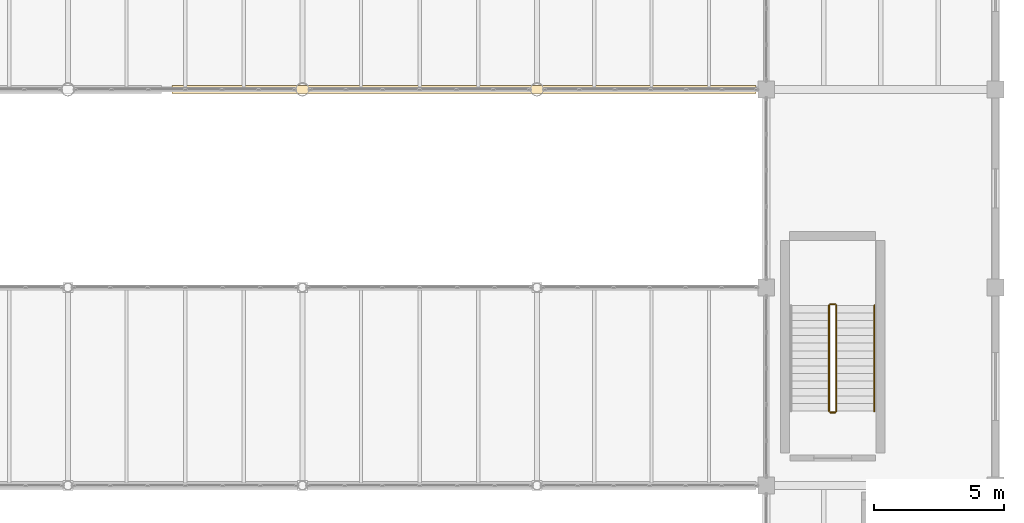
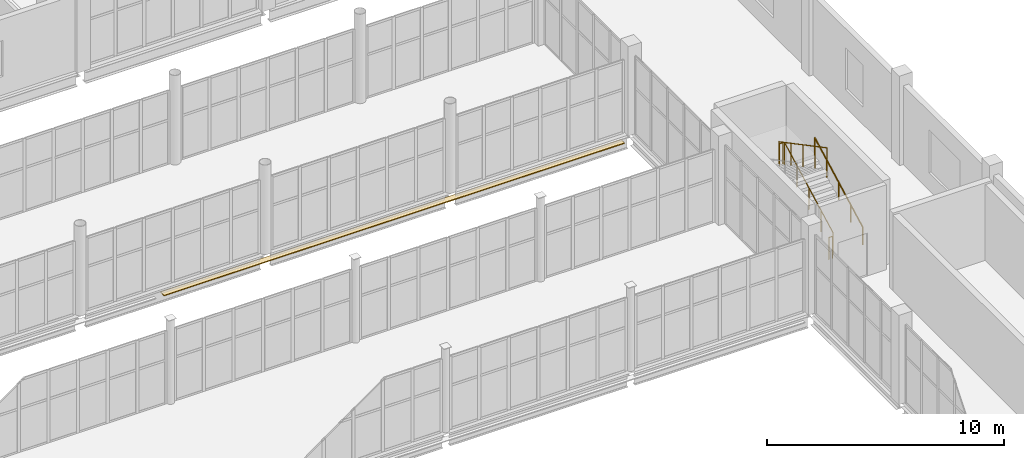
# One storey, part 171 of 172: 5 railings, 1 covering.
"""IFC4 building model written with IfcOpenShell, lengths in metres."""

import ifcopenshell
import ifcopenshell.guid

model = None  # the IFC model being written
_history = None  # IfcOwnerHistory: only IFC2X3 demands one
_inside = {}  # id of a spatial element -> (the spatial element, [elements in it])
_under = {}  # id of a project, library or spatial element -> (it, [spatial elements below it])
_declared = {}  # id of a project -> (the project, [libraries it declares])
_typed = {}  # id of a type object -> (the type object, [elements of that type])
_made_of = {}  # id of a material, layer set ... -> (it, [elements and type objects made of it])


def new_model(schema):
    """Start an empty IFC model of exactly this schema.

    Asked for "IFC4X3", IfcOpenShell would pick the latest addendum, in which some entities
    have other attributes; the version numbers below select the first issue.
    IFC2X3 requires an IfcOwnerHistory on every rooted entity: one is made here for all.
    """
    global model, _history
    if schema == "IFC4X3":
        model = ifcopenshell.file(schema_version=(4, 3, 0, 0))
    else:
        model = ifcopenshell.file(schema=schema)
    _inside.clear()
    _under.clear()
    _declared.clear()
    _typed.clear()
    _made_of.clear()
    _history = None
    if model.schema == "IFC2X3":
        org = make("IfcOrganization", Name="unknown")
        user = make(
            "IfcPersonAndOrganization",
            ThePerson=make("IfcPerson", FamilyName="unknown"),
            TheOrganization=org,
        )
        app = make(
            "IfcApplication",
            ApplicationDeveloper=org,
            Version="unknown",
            ApplicationFullName="unknown",
            ApplicationIdentifier="unknown",
        )
        _history = make(
            "IfcOwnerHistory",
            OwningUser=user,
            OwningApplication=app,
            ChangeAction="ADDED",
            CreationDate=0,
        )
    return model


def make(cls, **values):
    """One entity of the class cls with the attributes given. An attribute that is None is left unset."""
    return model.create_entity(
        cls, **{name: value for name, value in values.items() if value is not None}
    )


def rooted(cls, **values):
    """An entity with a GlobalId (a new one), such as an element, a storey or a relation."""
    return make(cls, GlobalId=ifcopenshell.guid.new(), OwnerHistory=_history, **values)


def si_unit(unit_type, name, prefix=None):
    """IfcSIUnit, for example si_unit("LENGTHUNIT", "METRE", prefix="MILLI")."""
    return make("IfcSIUnit", UnitType=unit_type, Prefix=prefix, Name=name)


def assignment(units):
    """IfcUnitAssignment: the units of a project."""
    return None if units is None else make("IfcUnitAssignment", Units=units)


def point(xyz):
    """IfcCartesianPoint."""
    return None if xyz is None else make("IfcCartesianPoint", Coordinates=xyz)


def direction(xyz):
    """IfcDirection."""
    return None if xyz is None else make("IfcDirection", DirectionRatios=xyz)


def frame(location, z_axis=None, x_axis=None):
    """IfcAxis2Placement3D, a coordinate frame: its origin and axes. An axis left out is left unset."""
    return make(
        "IfcAxis2Placement3D",
        Location=point(location),
        Axis=direction(z_axis),
        RefDirection=direction(x_axis),
    )


def frame_2d(location, x_axis=None):
    """IfcAxis2Placement2D, a coordinate frame in the plane: its origin and x axis."""
    return make(
        "IfcAxis2Placement2D", Location=point(location), RefDirection=direction(x_axis)
    )


def origin():
    """The frame at (0, 0, 0) with its axes left unset."""
    return frame((0.0, 0.0, 0.0))


def origin_2d():
    """The frame at (0, 0) in the plane with its x axis left unset."""
    return frame_2d((0.0, 0.0))


def place(relative_to, where):
    """IfcLocalPlacement: puts the frame where relative to a parent placement (None: the world)."""
    return make(
        "IfcLocalPlacement", PlacementRelTo=relative_to, RelativePlacement=where
    )


def context(
    kind, dimensions, precision=None, world=None, true_north=None, identifier=None
):
    """IfcGeometricRepresentationContext, for example the 3D "Model" context."""
    return make(
        "IfcGeometricRepresentationContext",
        ContextIdentifier=identifier,
        ContextType=kind,
        CoordinateSpaceDimension=dimensions,
        Precision=precision,
        WorldCoordinateSystem=world,
        TrueNorth=true_north,
    )


def subcontext(parent, identifier, kind, view, scale=None):
    """IfcGeometricRepresentationSubContext, for example "Body" below "Model"."""
    return make(
        "IfcGeometricRepresentationSubContext",
        ContextIdentifier=identifier,
        ContextType=kind,
        ParentContext=parent,
        TargetScale=scale,
        TargetView=view,
    )


def project(units=None, contexts=None):
    """IfcProject with its units and contexts."""
    return rooted(
        "IfcProject",
        Name="project",
        RepresentationContexts=contexts,
        UnitsInContext=assignment(units),
    )


def spatial(cls, under=None, at=None, **own):
    """A site, building, storey or space (cls), placed at a placement, below another one or the project."""
    s = rooted(cls, ObjectPlacement=at, **own)
    if under is not None:
        _under.setdefault(under.id(), (under, []))[1].append(s)
    return s


def profile(cls, at=None, kind="AREA", **sizes):
    """A parametric profile (cls). Its sizes go by their IFC names, for example OverallWidth=200.0."""
    return make(cls, ProfileType=kind, Position=at, **sizes)


def rectangle(**sizes):
    """IfcRectangleProfileDef."""
    return profile("IfcRectangleProfileDef", **sizes)


def circle(**sizes):
    """IfcCircleProfileDef."""
    return profile("IfcCircleProfileDef", **sizes)


def extrude(swept, where, along, depth):
    """IfcExtrudedAreaSolid: the profile swept, set in the frame where, extruded along a direction by depth."""
    return make(
        "IfcExtrudedAreaSolid",
        SweptArea=swept,
        Position=where,
        ExtrudedDirection=direction(along),
        Depth=depth,
    )


def shape(context_of_items, identifier, shape_type, items):
    """IfcShapeRepresentation: the items that make up one representation, for example the "Body"."""
    return make(
        "IfcShapeRepresentation",
        ContextOfItems=context_of_items,
        RepresentationIdentifier=identifier,
        RepresentationType=shape_type,
        Items=items,
    )


def material(Name=None, Category=None):
    """IfcMaterial."""
    return make("IfcMaterial", Name=Name, Category=Category)


def layer(
    of_material, thickness, ventilated=None, Name=None, Category=None, Priority=None
):
    """IfcMaterialLayer: one layer of a wall or slab, of a material (None: an air gap)."""
    return make(
        "IfcMaterialLayer",
        Material=of_material,
        LayerThickness=thickness,
        IsVentilated=ventilated,
        Name=Name,
        Category=Category,
        Priority=Priority,
    )


def layer_set(layers, Name=None):
    """IfcMaterialLayerSet."""
    return make("IfcMaterialLayerSet", MaterialLayers=layers, LayerSetName=Name)


def made_of(thing, what):
    """Note that an element or type object is made of a material, layer set ...; save() writes the relation."""
    if what is not None:
        _made_of.setdefault(what.id(), (what, []))[1].append(thing)
    return thing


def type_object(cls, material=None, **own):
    """A type object (cls), such as IfcWallType, which elements share."""
    return made_of(rooted(cls, **own), material)


def element(
    cls,
    number,
    at=None,
    inside=None,
    cuts=None,
    type_object=None,
    material=None,
    context=None,
    identifier="Body",
    shape_type=None,
    held_by="IfcProductDefinitionShape",
    body=None,
    shapes=None,
    **own,
):
    """One element of the class cls, such as IfcWall. Its Tag is "e" and its number.

    at: its placement. inside: the storey or other place that contains it. cuts: it is an
    opening in that element (IfcRelVoidsElement). A single representation is given by context,
    identifier, shape_type and body (its items); several are given by shapes. held_by: the class
    of the entity that holds the representations. save() writes the other relations.
    """
    e = rooted(cls, Tag="e%d" % number, ObjectPlacement=at, **own)
    if body is not None:
        shapes = [shape(context, identifier, shape_type, body)]
    if shapes is not None:
        e.Representation = make(held_by, Representations=shapes)
    if inside is not None:
        _inside.setdefault(inside.id(), (inside, []))[1].append(e)
    if cuts is not None:
        rooted(
            "IfcRelVoidsElement", RelatingBuildingElement=cuts, RelatedOpeningElement=e
        )
    if type_object is not None:
        _typed.setdefault(type_object.id(), (type_object, []))[1].append(e)
    return made_of(e, material)


def aggregate(whole, parts):
    """IfcRelAggregates: a whole, such as a stair, and the parts it consists of."""
    return rooted("IfcRelAggregates", RelatingObject=whole, RelatedObjects=parts)


def save(model, path):
    """Write the relations noted so far, then the file.

    IfcRelAggregates (storeys below a building ...), IfcRelContainedInSpatialStructure (elements
    in a storey), IfcRelDefinesByType, IfcRelAssociatesMaterial and IfcRelDeclares: one each for
    every whole, place, type object, material and project.
    """
    for whole, parts in _under.values():
        aggregate(whole, parts)
    for where, things in _inside.values():
        rooted(
            "IfcRelContainedInSpatialStructure",
            RelatedElements=things,
            RelatingStructure=where,
        )
    for kind, things in _typed.values():
        rooted("IfcRelDefinesByType", RelatedObjects=things, RelatingType=kind)
    for what, things in _made_of.values():
        rooted("IfcRelAssociatesMaterial", RelatedObjects=things, RelatingMaterial=what)
    for by, libraries in _declared.values():
        rooted("IfcRelDeclares", RelatingContext=by, RelatedDefinitions=libraries)
    model.write(path)


model = new_model("IFC4")

# Units and contexts
model_context = context("Model", 3, precision=1e-05, world=origin(), true_north=direction((0.0, 1.0)))
body_context = subcontext(model_context, "Body", "Model", "MODEL_VIEW")
ifc_project = project(units=[si_unit("LENGTHUNIT", "METRE"), si_unit("AREAUNIT", "SQUARE_METRE"), si_unit("VOLUMEUNIT", "CUBIC_METRE"), si_unit("PLANEANGLEUNIT", "RADIAN"), si_unit("MASSUNIT", "GRAM", prefix="KILO")], contexts=[model_context])

# Site, building, storey
site_placement = place(None, origin())
site = spatial("IfcSite", under=ifc_project, at=site_placement, CompositionType="ELEMENT")
building_placement = place(site_placement, origin())
building = spatial("IfcBuilding", under=site, at=building_placement, Name="Shengluoqiao Park Theatre", CompositionType="ELEMENT")
storey_placement = place(building_placement, frame((0.0, 0.0, 5.39990234375)))
storey = spatial("IfcBuildingStorey", under=building, at=storey_placement, Name="L01", CompositionType="ELEMENT", Elevation=5.39990234375)

# Covering
ifc_material_1 = material(Name="Anodised aluminium", Category="aluminium")
ifc_layer = layer(ifc_material_1, 0.044921875, Name="Anodised aluminium")
ifc_layer_set = layer_set([ifc_layer], Name="Anodised aluminium")
covering_type = type_object("IfcCoveringType", Name="ENV-COV-CLAD1", PredefinedType="CLADDING", material=ifc_layer_set)
covering_placement = place(storey_placement, frame((145.60009765625, 68.39990234375, -0.472412109375), z_axis=(0.0, 0.0, 1.0), x_axis=(1.0, 0.0, 0.0)))
element("IfcCovering", 1, at=covering_placement, inside=storey, type_object=covering_type, Name="Park-Court Bridge Soffit Cladding 03", PredefinedType="CLADDING", context=body_context, shape_type="SweptSolid", body=[
    extrude(rectangle(XDim=22.39990234375, YDim=0.300048828125, at=origin_2d()), origin(), (0.0, 0.0, 1.0), 0.044921875),
])

# Railings
ifc_material_2 = material(Name="Painted steel", Category="steel")
railing_type_1 = type_object("IfcRailingType", Name="INT-RL-STGRD", PredefinedType="GUARDRAIL", material=ifc_material_2)
railing_1_placement = place(storey_placement, frame((159.889892578125, 56.050048828125, 0.1533203125)))
element("IfcRailing", 2, at=railing_1_placement, inside=storey, type_object=railing_type_1, Name="L01 ST-12 stair guard 1", PredefinedType="GUARDRAIL", context=body_context, shape_type="SweptSolid", body=[
    extrude(circle(Radius=0.02392578125, at=origin_2d()), frame((0.0, 0.0, 1.1259765625), z_axis=(0.0, 0.884032182968, 0.46742603637), x_axis=(-1.0, 0.0, 0.0)), (0.0, 0.0, 1.0), 4.5927734375),
    extrude(circle(Radius=0.02099609375, at=origin_2d()), origin(), (0.0, 0.0, 1.0), 1.101806640625),
    extrude(circle(Radius=0.02099609375, at=origin_2d()), frame((0.0, 1.01513671875, 0.53662109375)), (0.0, 0.0, 1.0), 1.101806640625),
    extrude(circle(Radius=0.02099609375, at=origin_2d()), frame((0.0, 2.030029296875, 1.0732421875)), (0.0, 0.0, 1.0), 1.101806640625),
    extrude(circle(Radius=0.02099609375, at=origin_2d()), frame((0.0, 3.044921875, 1.610107421875)), (0.0, 0.0, 1.0), 1.101806640625),
    extrude(circle(Radius=0.02099609375, at=origin_2d()), frame((0.0, 4.06005859375, 2.146728515625)), (0.0, 0.0, 1.0), 1.101806640625),
])
railing_2_placement = place(storey_placement, frame((159.840087890625, 60.159912109375, 2.300048828125)))
element("IfcRailing", 3, at=railing_2_placement, inside=storey, type_object=railing_type_1, Name="L01 ST-12 stair guard 2", PredefinedType="GUARDRAIL", context=body_context, shape_type="SweptSolid", body=[
    extrude(circle(Radius=0.02392578125, at=origin_2d()), frame((0.0, 0.0, 1.1259765625), z_axis=(-1.0, 0.0, 0.0), x_axis=(0.0, -1.0, 0.0)), (0.0, 0.0, 1.0), 0.18017578125),
    extrude(circle(Radius=0.02099609375, at=origin_2d()), origin(), (0.0, 0.0, 1.0), 1.101806640625),
    extrude(circle(Radius=0.02099609375, at=origin_2d()), frame((-0.18017578125, 0.0, 0.0)), (0.0, 0.0, 1.0), 1.101806640625),
])
railing_3_placement = place(storey_placement, frame((159.610107421875, 60.110107421875, 2.453369140625)))
element("IfcRailing", 4, at=railing_3_placement, inside=storey, type_object=railing_type_1, Name="L01 ST-12 stair guard 3", PredefinedType="GUARDRAIL", context=body_context, shape_type="SweptSolid", body=[
    extrude(circle(Radius=0.02392578125, at=origin_2d()), frame((0.0, 0.0, 1.1259765625), z_axis=(0.0, -0.884032182968, 0.46742603637), x_axis=(1.0, 0.0, 0.0)), (0.0, 0.0, 1.0), 4.5927734375),
    extrude(circle(Radius=0.02099609375, at=origin_2d()), origin(), (0.0, 0.0, 1.0), 1.101806640625),
    extrude(circle(Radius=0.02099609375, at=origin_2d()), frame((0.0, -1.01513671875, 0.53662109375)), (0.0, 0.0, 1.0), 1.101806640625),
    extrude(circle(Radius=0.02099609375, at=origin_2d()), frame((0.0, -2.030029296875, 1.0732421875)), (0.0, 0.0, 1.0), 1.101806640625),
    extrude(circle(Radius=0.02099609375, at=origin_2d()), frame((0.0, -3.044921875, 1.610107421875)), (0.0, 0.0, 1.0), 1.101806640625),
    extrude(circle(Radius=0.02099609375, at=origin_2d()), frame((0.0, -4.06005859375, 2.146728515625)), (0.0, 0.0, 1.0), 1.101806640625),
])
railing_4_placement = place(storey_placement, frame((159.840087890625, 56.0, 0.0)))
element("IfcRailing", 5, at=railing_4_placement, inside=storey, type_object=railing_type_1, Name="L01 ST-12 stair guard 4", PredefinedType="GUARDRAIL", context=body_context, shape_type="SweptSolid", body=[
    extrude(circle(Radius=0.02392578125, at=origin_2d()), frame((0.0, 0.0, 1.1259765625), z_axis=(-1.0, 0.0, 0.0), x_axis=(0.0, -1.0, 0.0)), (0.0, 0.0, 1.0), 0.18017578125),
    extrude(circle(Radius=0.02099609375, at=origin_2d()), origin(), (0.0, 0.0, 1.0), 1.101806640625),
    extrude(circle(Radius=0.02099609375, at=origin_2d()), frame((-0.18017578125, 0.0, 0.0)), (0.0, 0.0, 1.0), 1.101806640625),
])
ifc_material_3 = material(Name="Stainless steel 304", Category="steel")
railing_type_2 = type_object("IfcRailingType", Name="INT-RL-STHR", PredefinedType="HANDRAIL", material=ifc_material_3)
railing_5_placement = place(storey_placement, frame((161.35009765625, 56.050048828125, 0.1533203125)))
element("IfcRailing", 6, at=railing_5_placement, inside=storey, type_object=railing_type_2, Name="L01 ST-12 stair handrail 1", PredefinedType="HANDRAIL", context=body_context, shape_type="SweptSolid", body=[
    extrude(circle(Radius=0.02392578125, at=origin_2d()), frame((0.0, 0.0, 0.8759765625), z_axis=(0.0, 0.884032182968, 0.46742603637), x_axis=(-1.0, 0.0, 0.0)), (0.0, 0.0, 1.0), 4.5927734375),
    extrude(circle(Radius=0.02099609375, at=origin_2d()), origin(), (0.0, 0.0, 1.0), 0.851806640625),
    extrude(circle(Radius=0.02099609375, at=origin_2d()), frame((0.0, 1.01513671875, 0.53662109375)), (0.0, 0.0, 1.0), 0.851806640625),
    extrude(circle(Radius=0.02099609375, at=origin_2d()), frame((0.0, 2.030029296875, 1.0732421875)), (0.0, 0.0, 1.0), 0.851806640625),
    extrude(circle(Radius=0.02099609375, at=origin_2d()), frame((0.0, 3.044921875, 1.610107421875)), (0.0, 0.0, 1.0), 0.851806640625),
    extrude(circle(Radius=0.02099609375, at=origin_2d()), frame((0.0, 4.06005859375, 2.146728515625)), (0.0, 0.0, 1.0), 0.851806640625),
])

save(model, "model.ifc")
